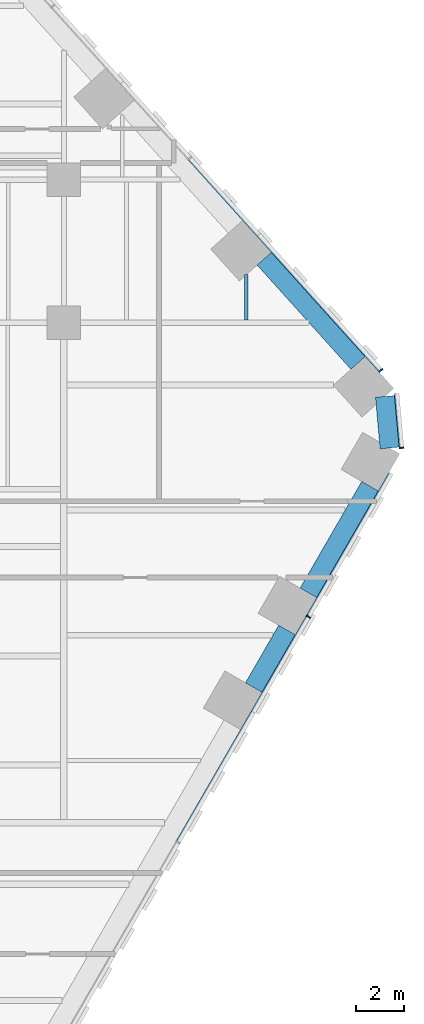
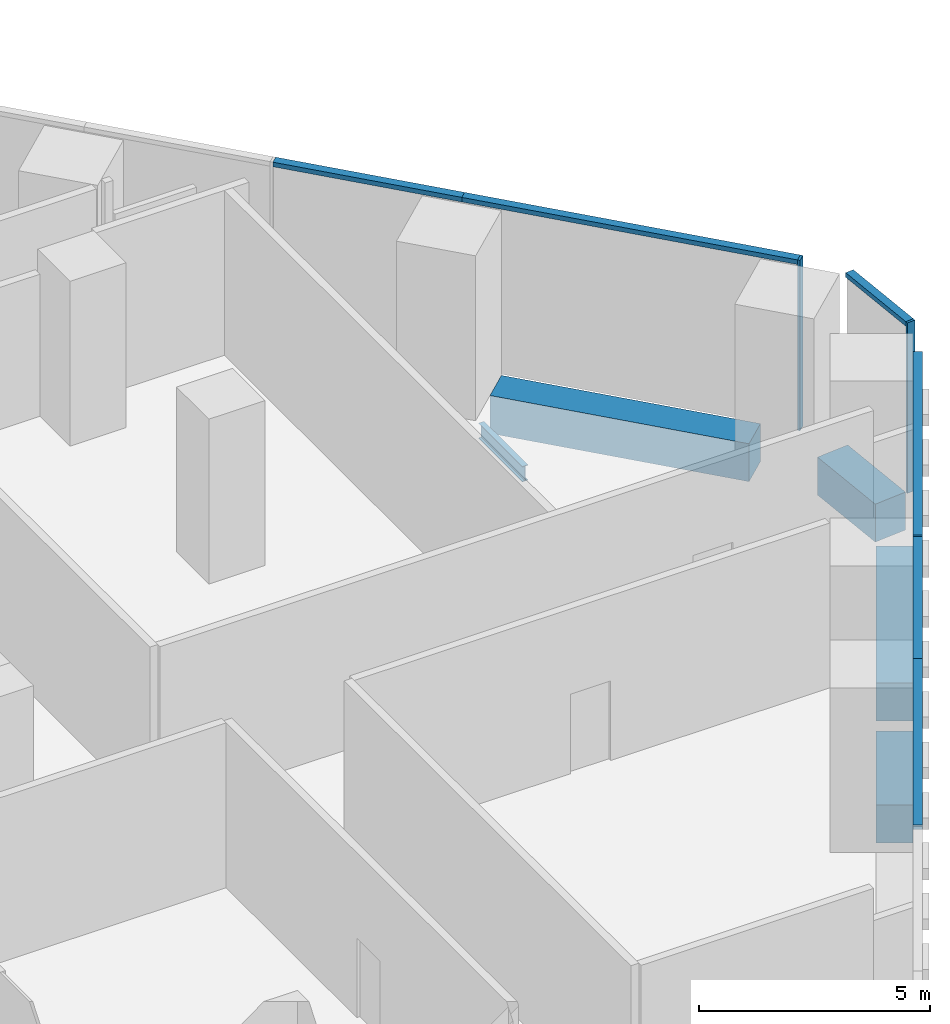
# One storey, part 11 of 19: 9 members, 5 beams, 3 elements without a shape of their own.
"""IFC4 building model written with IfcOpenShell, lengths in metres."""

from ifc_helpers import new_model, si_unit, direction, frame, origin, origin_2d, place, context, subcontext, project, spatial, rectangle, i_section, extrude, material, layer, layer_set, material_profile, profile_set, type_object, element, aggregate, save


model = new_model("IFC4")

# Units and contexts
model_context = context("Model", 3, precision=1e-05, world=origin(), true_north=direction((0.0, 1.0)))
body_context = subcontext(model_context, "Body", "Model", "MODEL_VIEW")
ifc_project = project(units=[si_unit("LENGTHUNIT", "METRE"), si_unit("AREAUNIT", "SQUARE_METRE"), si_unit("VOLUMEUNIT", "CUBIC_METRE"), si_unit("PLANEANGLEUNIT", "RADIAN"), si_unit("MASSUNIT", "GRAM", prefix="KILO")], contexts=[model_context])

# Site, building, storey
site_placement = place(None, origin())
site = spatial("IfcSite", under=ifc_project, at=site_placement, CompositionType="ELEMENT")
building_placement = place(site_placement, origin())
building = spatial("IfcBuilding", under=site, at=building_placement, Name="Isthmus Gate Tower", CompositionType="ELEMENT")
storey_placement = place(building_placement, frame((0.0, 0.0, 76.14990234375)))
storey = spatial("IfcBuildingStorey", under=building, at=storey_placement, Name="L17", CompositionType="ELEMENT", Elevation=76.14990234375)

# Curtain wall, member
ifc_material_1 = material(Name="Aluminium, pale champagne anodised", Category="aluminium")
ifc_layer = layer(ifc_material_1, 0.199951171875)
ifc_layer_set = layer_set([ifc_layer], Name="CW-2 LOUVRE CURTAIN WALL 200 DEEP")
curtain_wall_type = type_object("IfcCurtainWallType", Name="CW-2 LOUVRE CURTAIN WALL 200 DEEP", PredefinedType="NOTDEFINED", material=ifc_layer_set)
curtain_wall_1_placement = place(storey_placement, origin())
curtain_wall_1 = element("IfcCurtainWall", 1, at=curtain_wall_1_placement, inside=storey, type_object=curtain_wall_type, Name="CW-2 SE L17", PredefinedType="NOTDEFINED")
ifc_material_2 = material(Name="Aluminium, pale champagne anodised", Category="aluminium")
ifc_material_profile_1 = material_profile(ifc_material_2, rectangle(XDim=0.06005859375, YDim=0.199951171875, at=origin_2d()), Name="60x200")
ifc_profile_set_1 = profile_set([ifc_material_profile_1], Name="Aluminium, pale champagne anodised")
member_type_1 = type_object("IfcMemberType", Name="CW-2 MULLION 60 X 200", PredefinedType="MULLION", material=ifc_profile_set_1)
member_1_placement = place(storey_placement, frame((34.267822265625, -4.846435546875, 0.0), z_axis=(0.0, 0.0, 1.0), x_axis=(0.5, 0.866025403784, 0.0)))
member_1 = element("IfcMember", 2, at=member_1_placement, type_object=member_type_1, Name="CW-2 mullion", PredefinedType="MULLION", context=body_context, shape_type="SweptSolid", body=[
    extrude(rectangle(XDim=0.06005859375, YDim=0.199951171875, at=origin_2d()), origin(), (0.0, 0.0, 1.0), 4.5),
])

curtain_wall_2_placement = place(storey_placement, origin())
curtain_wall_2 = element("IfcCurtainWall", 3, at=curtain_wall_2_placement, inside=storey, type_object=curtain_wall_type, Name="CW-2 SE-NE L17", PredefinedType="NOTDEFINED")
member_2_placement = place(storey_placement, frame((38.178955078125, 2.24169921875, 0.0), z_axis=(0.0, 0.0, 1.0), x_axis=(-0.089396669717, 0.995996102123, 0.0)))
member_2 = element("IfcMember", 4, at=member_2_placement, type_object=member_type_1, Name="CW-2 mullion", PredefinedType="MULLION", context=body_context, shape_type="SweptSolid", body=[
    extrude(rectangle(XDim=0.06005859375, YDim=0.199951171875, at=origin_2d()), origin(), (0.0, 0.0, 1.0), 4.5),
])

curtain_wall_3_placement = place(storey_placement, origin())
curtain_wall_3 = element("IfcCurtainWall", 5, at=curtain_wall_3_placement, inside=storey, type_object=curtain_wall_type, Name="CW-2 NE L17", PredefinedType="NOTDEFINED")
member_3_placement = place(storey_placement, frame((37.306640625, 5.494384765625, 0.0), z_axis=(0.0, 0.0, 1.0), x_axis=(-0.669130606359, 0.743144825477, 0.0)))
member_3 = element("IfcMember", 6, at=member_3_placement, type_object=member_type_1, Name="CW-2 mullion", PredefinedType="MULLION", context=body_context, shape_type="SweptSolid", body=[
    extrude(rectangle(XDim=0.06005859375, YDim=0.199951171875, at=origin_2d()), origin(), (0.0, 0.0, 1.0), 4.5),
])

# Member
ifc_material_3 = material(Name="Aluminium, pale champagne anodised", Category="aluminium")
ifc_material_profile_2 = material_profile(ifc_material_3, rectangle(XDim=0.199951171875, YDim=0.1201171875, at=origin_2d()), Name="200x120")
ifc_profile_set_2 = profile_set([ifc_material_profile_2], Name="Aluminium, pale champagne anodised")
member_type_2 = type_object("IfcMemberType", Name="CW-2 TRANSOM 200 X 120", PredefinedType="USERDEFINED", material=ifc_profile_set_2)
member_4_placement = place(storey_placement, frame((28.817138671875, -14.287353515625, 4.440185546875), z_axis=(0.499995104884, 0.866028229963, 0.0), x_axis=(-0.866028229963, 0.499995104884, 0.0)))
member_4 = element("IfcMember", 7, at=member_4_placement, type_object=member_type_2, Name="CW-2 transom", ObjectType="TRANSOM", PredefinedType="USERDEFINED", context=body_context, shape_type="SweptSolid", body=[
    extrude(rectangle(XDim=0.199951171875, YDim=0.1201171875, at=origin_2d()), origin(), (0.0, 0.0, 1.0), 6.2783203125),
])

member_5_placement = place(storey_placement, frame((31.956298828125, -8.85009765625, 4.440185546875), z_axis=(0.499992401796, 0.866029790565, 0.0), x_axis=(-0.866029790565, 0.499992401796, 0.0)))
member_5 = element("IfcMember", 8, at=member_5_placement, type_object=member_type_2, Name="CW-2 transom", ObjectType="TRANSOM", PredefinedType="USERDEFINED", context=body_context, shape_type="SweptSolid", body=[
    extrude(rectangle(XDim=0.199951171875, YDim=0.1201171875, at=origin_2d()), origin(), (0.0, 0.0, 1.0), 4.5927734375),
])

member_6_placement = place(storey_placement, frame((34.28271484375, -4.820556640625, 4.440185546875), z_axis=(0.500003839917, 0.866023186796, 0.0), x_axis=(-0.866023186796, 0.500003839917, 0.0)))
member_6 = element("IfcMember", 9, at=member_6_placement, type_object=member_type_2, Name="CW-2 transom", ObjectType="TRANSOM", PredefinedType="USERDEFINED", context=body_context, shape_type="SweptSolid", body=[
    extrude(rectangle(XDim=0.199951171875, YDim=0.1201171875, at=origin_2d()), origin(), (0.0, 0.0, 1.0), 6.90966796875),
])

aggregate(curtain_wall_1, [member_4, member_5, member_1, member_6])

member_7_placement = place(storey_placement, frame((38.17626953125, 2.271728515625, 4.440185546875), z_axis=(-0.089395362867, 0.995996219419, 0.0), x_axis=(-0.995996219419, -0.089395362867, 0.0)))
member_7 = element("IfcMember", 10, at=member_7_placement, type_object=member_type_2, Name="CW-2 transom", ObjectType="TRANSOM", PredefinedType="USERDEFINED", context=body_context, shape_type="SweptSolid", body=[
    extrude(rectangle(XDim=0.199951171875, YDim=0.1201171875, at=origin_2d()), origin(), (0.0, 0.0, 1.0), 2.258544921875),
])

aggregate(curtain_wall_2, [member_2, member_7])

member_8_placement = place(storey_placement, frame((37.28662109375, 5.5166015625, 4.440185546875), z_axis=(-0.66912913739, 0.74314614814, 0.0), x_axis=(-0.74314614814, -0.66912913739, 0.0)))
member_8 = element("IfcMember", 11, at=member_8_placement, type_object=member_type_2, Name="CW-2 transom", ObjectType="TRANSOM", PredefinedType="USERDEFINED", context=body_context, shape_type="SweptSolid", body=[
    extrude(rectangle(XDim=0.199951171875, YDim=0.1201171875, at=origin_2d()), origin(), (0.0, 0.0, 1.0), 7.62939453125),
])

member_9_placement = place(storey_placement, frame((32.181640625, 11.186279296875, 4.440185546875), z_axis=(-0.669131169216, 0.743144318678, 0.0), x_axis=(-0.743144318678, -0.669131169216, 0.0)))
member_9 = element("IfcMember", 12, at=member_9_placement, type_object=member_type_2, Name="CW-2 transom", ObjectType="TRANSOM", PredefinedType="USERDEFINED", context=body_context, shape_type="SweptSolid", body=[
    extrude(rectangle(XDim=0.199951171875, YDim=0.1201171875, at=origin_2d()), origin(), (0.0, 0.0, 1.0), 4.294677734375),
])

aggregate(curtain_wall_3, [member_3, member_8, member_9])

# Beams
ifc_material_4 = material(Name="Concrete f'c 70 MPa", Category="concrete")
ifc_material_profile_3 = material_profile(ifc_material_4, rectangle(XDim=0.800048828125, YDim=1.0, at=origin_2d()), Name="RC 800X1000")
ifc_profile_set_3 = profile_set([ifc_material_profile_3], Name="Concrete f'c 70 MPa")
beam_type_1 = type_object("IfcBeamType", Name="RC SPANDREL 800 X 1000", PredefinedType="SPANDREL", material=ifc_profile_set_3)
beam_1_placement = place(storey_placement, frame((32.412353515625, 10.182861328125, -0.5), z_axis=(0.669138782017, -0.743137464001, 0.0), x_axis=(0.743137464001, 0.669138782017, 0.0)))
element("IfcBeam", 13, at=beam_1_placement, inside=storey, type_object=beam_type_1, Name="str-spandrel-L17-04", PredefinedType="SPANDREL", context=body_context, shape_type="SweptSolid", body=[
    extrude(rectangle(XDim=0.800048828125, YDim=1.0, at=origin_2d()), origin(), (0.0, 0.0, 1.0), 5.88916015625),
])
beam_2_placement = place(storey_placement, frame((37.483154296875, 4.40185546875, -0.5), z_axis=(0.089421511639, -0.995993872098, 0.0), x_axis=(0.995993872098, 0.089421511639, 0.0)))
element("IfcBeam", 14, at=beam_2_placement, inside=storey, type_object=beam_type_1, Name="str-spandrel-L17-05", PredefinedType="SPANDREL", context=body_context, shape_type="SweptSolid", body=[
    extrude(rectangle(XDim=0.800048828125, YDim=1.0, at=origin_2d()), origin(), (0.0, 0.0, 1.0), 2.17333984375),
])
beam_3_placement = place(storey_placement, frame((36.8544921875, 0.6337890625, -0.5), z_axis=(-0.50000453793, -0.866022783793, 0.0), x_axis=(0.866022783793, -0.50000453793, 0.0)))
element("IfcBeam", 15, at=beam_3_placement, inside=storey, type_object=beam_type_1, Name="str-spandrel-L17-06", PredefinedType="SPANDREL", context=body_context, shape_type="SweptSolid", body=[
    extrude(rectangle(XDim=0.800048828125, YDim=1.0, at=origin_2d()), origin(), (0.0, 0.0, 1.0), 5.16943359375),
])
beam_4_placement = place(storey_placement, frame((33.369873046875, -5.40185546875, -0.5), z_axis=(-0.500012514453, -0.866018178441, 0.0), x_axis=(0.866018178441, -0.500012514453, 0.0)))
element("IfcBeam", 16, at=beam_4_placement, inside=storey, type_object=beam_type_1, Name="str-spandrel-L17-07", PredefinedType="SPANDREL", context=body_context, shape_type="SweptSolid", body=[
    extrude(rectangle(XDim=0.800048828125, YDim=1.0, at=origin_2d()), origin(), (0.0, 0.0, 1.0), 2.79296875),
])
ifc_material_5 = material(Name="Structural steel ASTM A992 Gr 50", Category="steel")
ifc_material_profile_4 = material_profile(ifc_material_5, i_section(OverallWidth=0.1396484375, OverallDepth=0.4033203125, WebThickness=0.00634765625, FlangeThickness=0.010986328125, at=origin_2d()), Name="W16X31")
ifc_profile_set_4 = profile_set([ifc_material_profile_4], Name="Structural steel ASTM A992 Gr 50")
beam_type_2 = type_object("IfcBeamType", Name="STEEL FLOOR BEAM W16X31", PredefinedType="JOIST", material=ifc_profile_set_4)
beam_5_placement = place(storey_placement, frame((31.666259765625, 7.6142578125, -0.50146484375), z_axis=(0.0, 1.0, 0.0), x_axis=(-1.0, 0.0, 0.0)))
element("IfcBeam", 17, at=beam_5_placement, inside=storey, type_object=beam_type_2, Name="str-beam-L17-33-01", PredefinedType="JOIST", context=body_context, shape_type="SweptSolid", body=[
    extrude(i_section(OverallWidth=0.1396484375, OverallDepth=0.4033203125, WebThickness=0.00634765625, FlangeThickness=0.010986328125, at=origin_2d()), origin(), (0.0, 0.0, 1.0), 1.89697265625),
])

save(model, "model.ifc")
